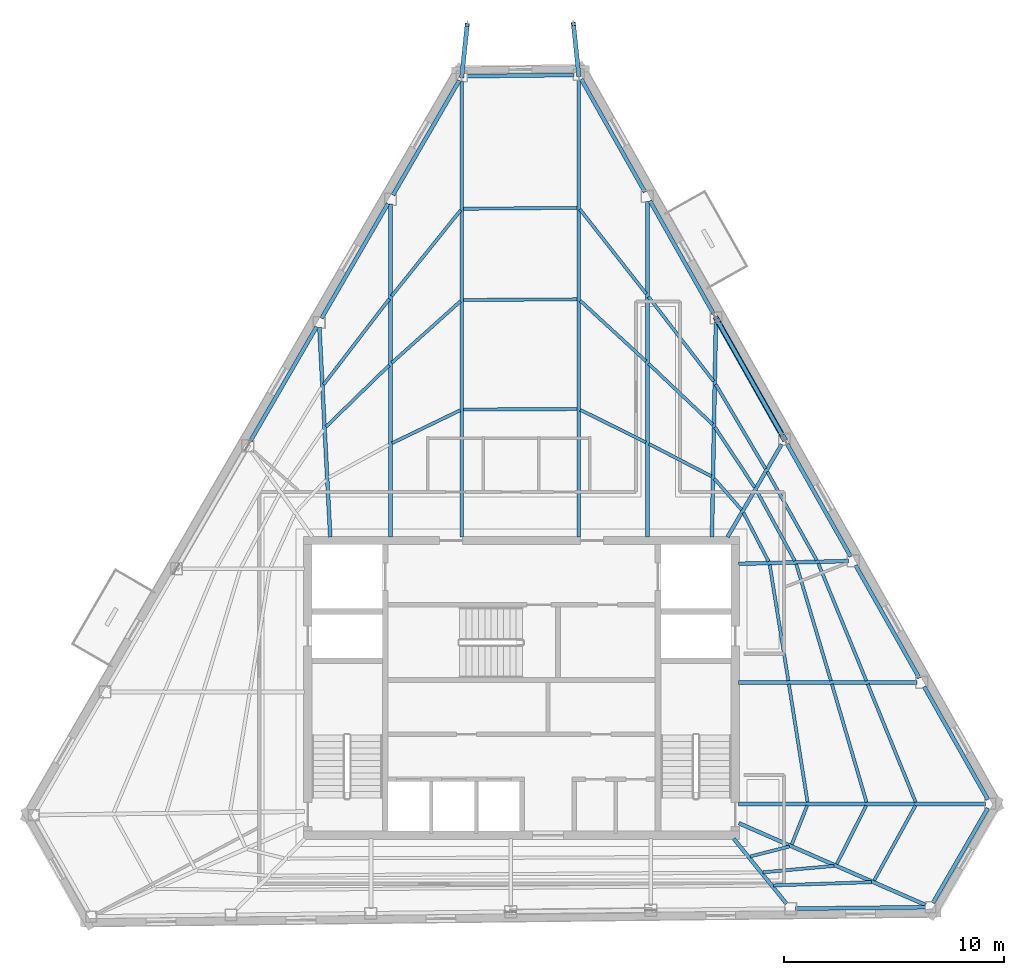
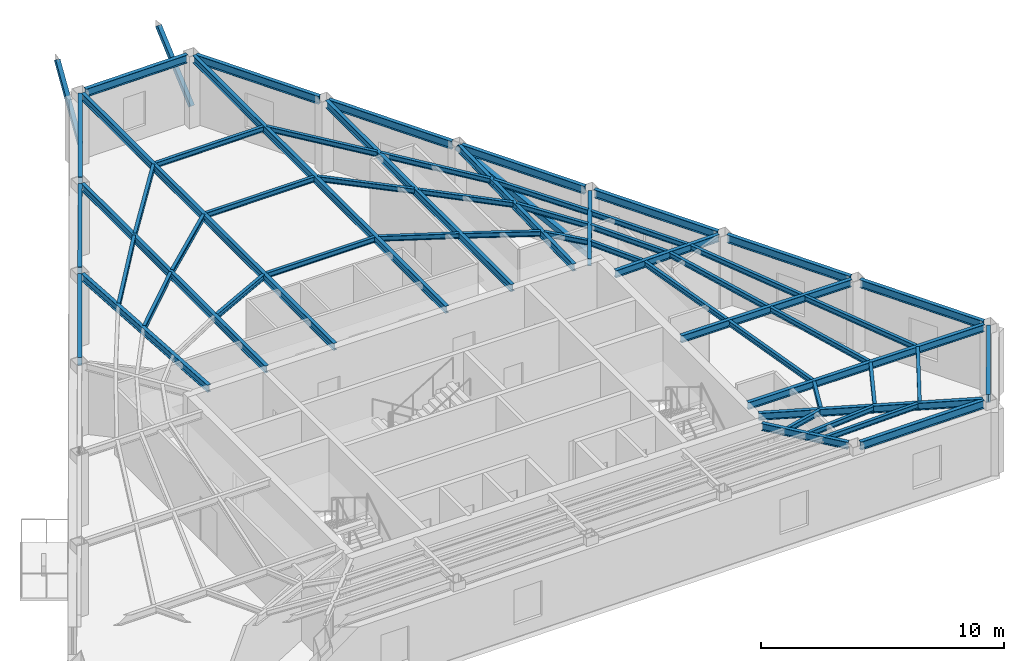
# One storey, part 2 of 10: 56 beams, 3 members.
"""IFC4 building model written with IfcOpenShell, lengths in metres."""

from ifc_helpers import new_model, si_unit, direction, frame, origin, origin_2d, place, context, subcontext, project, spatial, hollow_rectangle, i_section, extrude, material, material_profile, profile_set, type_object, element, save


model = new_model("IFC4")

# Units and contexts
model_context = context("Model", 3, precision=1e-05, world=origin(), true_north=direction((0.0, 1.0)))
body_context = subcontext(model_context, "Body", "Model", "MODEL_VIEW")
ifc_project = project(units=[si_unit("LENGTHUNIT", "METRE"), si_unit("AREAUNIT", "SQUARE_METRE"), si_unit("VOLUMEUNIT", "CUBIC_METRE"), si_unit("PLANEANGLEUNIT", "RADIAN"), si_unit("MASSUNIT", "GRAM", prefix="KILO")], contexts=[model_context])

# Site, building, storey
site_placement = place(None, origin())
site = spatial("IfcSite", under=ifc_project, at=site_placement, CompositionType="ELEMENT")
building_placement = place(site_placement, origin())
building = spatial("IfcBuilding", under=site, at=building_placement, Name="Kavelnor Concourse Tower", CompositionType="ELEMENT")
storey_placement = place(building_placement, frame((0.0, 0.0, 293.39990234375)))
storey = spatial("IfcBuildingStorey", under=building, at=storey_placement, Name="L74", CompositionType="ELEMENT", Elevation=293.39990234375)

# Beams
ifc_material = material(Name="Steel Grade 350", Category="steel")
ifc_material_profile_1 = material_profile(ifc_material, i_section(OverallWidth=0.14599609375, OverallDepth=0.256103515625, WebThickness=0.00634765625, FlangeThickness=0.010986328125, at=origin_2d()), Name="250UB37")
ifc_profile_set_1 = profile_set([ifc_material_profile_1], Name="Steel Grade 350")
beam_type_1 = type_object("IfcBeamType", Name="BM-JOIST-250", PredefinedType="JOIST", material=ifc_profile_set_1)
beam_1_placement = place(storey_placement, frame((48.3837890625, 8.4453125, 3.482177734375), z_axis=(0.96928932723, 0.245923158972, 0.0), x_axis=(-0.245923158972, 0.96928932723, 0.0)))
element("IfcBeam", 1, at=beam_1_placement, inside=storey, type_object=beam_type_1, Name="L74 Secondary Composite Joist 08-1", PredefinedType="JOIST", context=body_context, shape_type="SweptSolid", body=[
    extrude(i_section(OverallWidth=0.14599609375, OverallDepth=0.256103515625, WebThickness=0.00634765625, FlangeThickness=0.010986328125, at=origin_2d()), origin(), (0.0, 0.0, 1.0), 1.83056640625),
])
beam_2_placement = place(storey_placement, frame((48.960693359375, 7.724609375, 3.482177734375), z_axis=(0.995933210057, 0.090094623068, 0.0), x_axis=(-0.090094623068, 0.995933210057, 0.0)))
element("IfcBeam", 2, at=beam_2_placement, inside=storey, type_object=beam_type_1, Name="L74 Secondary Composite Joist 08-2", PredefinedType="JOIST", context=body_context, shape_type="SweptSolid", body=[
    extrude(i_section(OverallWidth=0.14599609375, OverallDepth=0.256103515625, WebThickness=0.00634765625, FlangeThickness=0.010986328125, at=origin_2d()), origin(), (0.0, 0.0, 1.0), 3.24365234375),
])
beam_3_placement = place(storey_placement, frame((49.43994140625, 7.130126953125, 3.482177734375), z_axis=(0.999441491264, 0.033417144404, 0.0), x_axis=(-0.033417144404, 0.999441491264, 0.0)))
element("IfcBeam", 3, at=beam_3_placement, inside=storey, type_object=beam_type_1, Name="L74 Secondary Composite Joist 08-3", PredefinedType="JOIST", context=body_context, shape_type="SweptSolid", body=[
    extrude(i_section(OverallWidth=0.14599609375, OverallDepth=0.256103515625, WebThickness=0.00634765625, FlangeThickness=0.010986328125, at=origin_2d()), origin(), (0.0, 0.0, 1.0), 4.44921875),
])
beam_4_placement = place(storey_placement, frame((50.267822265625, 8.99169921875, 3.482177734375), z_axis=(0.368347571407, 0.929688155587, 0.0), x_axis=(-0.929688155587, 0.368347571407, 0.0)))
element("IfcBeam", 4, at=beam_4_placement, inside=storey, type_object=beam_type_1, Name="L74 Secondary Composite Joist 09-1", PredefinedType="JOIST", context=body_context, shape_type="SweptSolid", body=[
    extrude(i_section(OverallWidth=0.14599609375, OverallDepth=0.256103515625, WebThickness=0.00634765625, FlangeThickness=0.010986328125, at=origin_2d()), origin(), (0.0, 0.0, 1.0), 1.896240234375),
])
beam_5_placement = place(storey_placement, frame((52.309814453125, 8.097412109375, 3.482177734375), z_axis=(0.449409285508, 0.893325973035, 0.0), x_axis=(-0.893325973035, 0.449409285508, 0.0)))
element("IfcBeam", 5, at=beam_5_placement, inside=storey, type_object=beam_type_1, Name="L74 Secondary Composite Joist 09-2", PredefinedType="JOIST", context=body_context, shape_type="SweptSolid", body=[
    extrude(i_section(OverallWidth=0.14599609375, OverallDepth=0.256103515625, WebThickness=0.00634765625, FlangeThickness=0.010986328125, at=origin_2d()), origin(), (0.0, 0.0, 1.0), 2.97802734375),
])
beam_6_placement = place(storey_placement, frame((54.00830078125, 7.353271484375, 3.482177734375), z_axis=(0.482810136194, 0.875725055247, 0.0), x_axis=(-0.875725055247, 0.482810136194, 0.0)))
element("IfcBeam", 6, at=beam_6_placement, inside=storey, type_object=beam_type_1, Name="L74 Secondary Composite Joist 09-3", PredefinedType="JOIST", context=body_context, shape_type="SweptSolid", body=[
    extrude(i_section(OverallWidth=0.14599609375, OverallDepth=0.256103515625, WebThickness=0.00634765625, FlangeThickness=0.010986328125, at=origin_2d()), origin(), (0.0, 0.0, 1.0), 3.88916015625),
])
beam_7_placement = place(storey_placement, frame((50.98388671875, 10.911865234375, 3.482177734375), z_axis=(-0.156147592713, 0.987733734004, 0.0), x_axis=(-0.987733734004, -0.156147592713, 0.0)))
element("IfcBeam", 7, at=beam_7_placement, inside=storey, type_object=beam_type_1, Name="L74 Secondary Composite Joist 10-1", PredefinedType="JOIST", context=body_context, shape_type="SweptSolid", body=[
    extrude(i_section(OverallWidth=0.14599609375, OverallDepth=0.256103515625, WebThickness=0.00634765625, FlangeThickness=0.010986328125, at=origin_2d()), origin(), (0.0, 0.0, 1.0), 5.420654296875),
])
beam_8_placement = place(storey_placement, frame((53.662109375, 10.90966796875, 3.482177734375), z_axis=(-0.281659795951, 0.959514335143, 0.0), x_axis=(-0.959514335143, -0.281659795951, 0.0)))
element("IfcBeam", 8, at=beam_8_placement, inside=storey, type_object=beam_type_1, Name="L74 Secondary Composite Joist 10-2", PredefinedType="JOIST", context=body_context, shape_type="SweptSolid", body=[
    extrude(i_section(OverallWidth=0.14599609375, OverallDepth=0.256103515625, WebThickness=0.00634765625, FlangeThickness=0.010986328125, at=origin_2d()), origin(), (0.0, 0.0, 1.0), 5.584716796875),
])
beam_9_placement = place(storey_placement, frame((55.894775390625, 10.906982421875, 3.482177734375), z_axis=(-0.376531987746, 0.926403617331, 0.0), x_axis=(-0.926403617331, -0.376531987746, 0.0)))
element("IfcBeam", 9, at=beam_9_placement, inside=storey, type_object=beam_type_1, Name="L74 Secondary Composite Joist 10-3", PredefinedType="JOIST", context=body_context, shape_type="SweptSolid", body=[
    extrude(i_section(OverallWidth=0.14599609375, OverallDepth=0.256103515625, WebThickness=0.00634765625, FlangeThickness=0.010986328125, at=origin_2d()), origin(), (0.0, 0.0, 1.0), 5.7900390625),
])
beam_10_placement = place(storey_placement, frame((50.11181640625, 16.427978515625, 3.482177734375), z_axis=(-0.15885046864, 0.987302652996, 0.0), x_axis=(-0.987302652996, -0.15885046864, 0.0)))
element("IfcBeam", 10, at=beam_10_placement, inside=storey, type_object=beam_type_1, Name="L74 Secondary Composite Joist 11-1", PredefinedType="JOIST", context=body_context, shape_type="SweptSolid", body=[
    extrude(i_section(OverallWidth=0.14599609375, OverallDepth=0.256103515625, WebThickness=0.00634765625, FlangeThickness=0.010986328125, at=origin_2d()), origin(), (0.0, 0.0, 1.0), 5.325439453125),
])
beam_11_placement = place(storey_placement, frame((52.04248046875, 16.425537109375, 3.482177734375), z_axis=(-0.284791294668, 0.958589546407, 0.0), x_axis=(-0.958589546407, -0.284791294668, 0.0)))
element("IfcBeam", 11, at=beam_11_placement, inside=storey, type_object=beam_type_1, Name="L74 Secondary Composite Joist 11-2", PredefinedType="JOIST", context=body_context, shape_type="SweptSolid", body=[
    extrude(i_section(OverallWidth=0.14599609375, OverallDepth=0.256103515625, WebThickness=0.00634765625, FlangeThickness=0.010986328125, at=origin_2d()), origin(), (0.0, 0.0, 1.0), 5.521728515625),
])
beam_12_placement = place(storey_placement, frame((53.652587890625, 16.4228515625, 3.482177734375), z_axis=(-0.378988110961, 0.925401540819, 0.0), x_axis=(-0.925401540819, -0.378988110961, 0.0)))
element("IfcBeam", 12, at=beam_12_placement, inside=storey, type_object=beam_type_1, Name="L74 Secondary Composite Joist 11-3", PredefinedType="JOIST", context=body_context, shape_type="SweptSolid", body=[
    extrude(i_section(OverallWidth=0.14599609375, OverallDepth=0.256103515625, WebThickness=0.00634765625, FlangeThickness=0.010986328125, at=origin_2d()), origin(), (0.0, 0.0, 1.0), 5.752685546875),
])
beam_13_placement = place(storey_placement, frame((49.215087890625, 21.839599609375, 3.482177734375), z_axis=(-0.458365440154, 0.888763817486, 0.0), x_axis=(-0.888763817486, -0.458365440154, 0.0)))
element("IfcBeam", 13, at=beam_13_placement, inside=storey, type_object=beam_type_1, Name="L74 Secondary Composite Joist 12-1", PredefinedType="JOIST", context=body_context, shape_type="SweptSolid", body=[
    extrude(i_section(OverallWidth=0.14599609375, OverallDepth=0.256103515625, WebThickness=0.00634765625, FlangeThickness=0.010986328125, at=origin_2d()), origin(), (0.0, 0.0, 1.0), 2.488037109375),
])
beam_14_placement = place(storey_placement, frame((50.4072265625, 21.868896484375, 3.482177734375), z_axis=(-0.478621623791, 0.878021264685, 0.0), x_axis=(-0.878021264685, -0.478621623791, 0.0)))
element("IfcBeam", 14, at=beam_14_placement, inside=storey, type_object=beam_type_1, Name="L74 Secondary Composite Joist 12-2", PredefinedType="JOIST", context=body_context, shape_type="SweptSolid", body=[
    extrude(i_section(OverallWidth=0.14599609375, OverallDepth=0.256103515625, WebThickness=0.00634765625, FlangeThickness=0.010986328125, at=origin_2d()), origin(), (0.0, 0.0, 1.0), 3.636474609375),
])
beam_15_placement = place(storey_placement, frame((51.4013671875, 21.893798828125, 3.482177734375), z_axis=(-0.48799643035, 0.872845624361, 0.0), x_axis=(-0.872845624361, -0.48799643035, 0.0)))
element("IfcBeam", 15, at=beam_15_placement, inside=storey, type_object=beam_type_1, Name="L74 Secondary Composite Joist 12-3", PredefinedType="JOIST", context=body_context, shape_type="SweptSolid", body=[
    extrude(i_section(OverallWidth=0.14599609375, OverallDepth=0.256103515625, WebThickness=0.00634765625, FlangeThickness=0.010986328125, at=origin_2d()), origin(), (0.0, 0.0, 1.0), 4.59423828125),
])
beam_16_placement = place(storey_placement, frame((47.983154296875, 24.185546875, 3.482177734375), z_axis=(-0.657052024848, 0.75384523388, 0.0), x_axis=(-0.75384523388, -0.657052024848, 0.0)))
element("IfcBeam", 16, at=beam_16_placement, inside=storey, type_object=beam_type_1, Name="L74 Secondary Composite Joist 13-1", PredefinedType="JOIST", context=body_context, shape_type="SweptSolid", body=[
    extrude(i_section(OverallWidth=0.14599609375, OverallDepth=0.256103515625, WebThickness=0.00634765625, FlangeThickness=0.010986328125, at=origin_2d()), origin(), (0.0, 0.0, 1.0), 1.881591796875),
])
beam_17_placement = place(storey_placement, frame((48.582275390625, 25.2021484375, 3.482177734375), z_axis=(-0.550491860973, 0.834840530283, 0.0), x_axis=(-0.834840530283, -0.550491860973, 0.0)))
element("IfcBeam", 17, at=beam_17_placement, inside=storey, type_object=beam_type_1, Name="L74 Secondary Composite Joist 13-2", PredefinedType="JOIST", context=body_context, shape_type="SweptSolid", body=[
    extrude(i_section(OverallWidth=0.14599609375, OverallDepth=0.256103515625, WebThickness=0.00634765625, FlangeThickness=0.010986328125, at=origin_2d()), origin(), (0.0, 0.0, 1.0), 3.272216796875),
])
beam_18_placement = place(storey_placement, frame((49.077880859375, 26.0458984375, 3.482177734375), z_axis=(-0.508636930152, 0.860981110876, 0.0), x_axis=(-0.860981110876, -0.508636930152, 0.0)))
element("IfcBeam", 18, at=beam_18_placement, inside=storey, type_object=beam_type_1, Name="L74 Secondary Composite Joist 13-3", PredefinedType="JOIST", context=body_context, shape_type="SweptSolid", body=[
    extrude(i_section(OverallWidth=0.14599609375, OverallDepth=0.256103515625, WebThickness=0.00634765625, FlangeThickness=0.010986328125, at=origin_2d()), origin(), (0.0, 0.0, 1.0), 4.451904296875),
])
beam_19_placement = place(storey_placement, frame((46.6201171875, 25.70361328125, 3.482177734375), z_axis=(-0.887896823284, 0.460042640635, 0.0), x_axis=(-0.460042640635, -0.887896823284, 0.0)))
element("IfcBeam", 19, at=beam_19_placement, inside=storey, type_object=beam_type_1, Name="L74 Secondary Composite Joist 14-1", PredefinedType="JOIST", context=body_context, shape_type="SweptSolid", body=[
    extrude(i_section(OverallWidth=0.14599609375, OverallDepth=0.256103515625, WebThickness=0.00634765625, FlangeThickness=0.010986328125, at=origin_2d()), origin(), (0.0, 0.0, 1.0), 3.193115234375),
])
beam_20_placement = place(storey_placement, frame((46.676513671875, 28.058837890625, 3.482177734375), z_axis=(-0.725548784534, 0.688170735545, 0.0), x_axis=(-0.688170735545, -0.725548784534, 0.0)))
element("IfcBeam", 20, at=beam_20_placement, inside=storey, type_object=beam_type_1, Name="L74 Secondary Composite Joist 14-2", PredefinedType="JOIST", context=body_context, shape_type="SweptSolid", body=[
    extrude(i_section(OverallWidth=0.14599609375, OverallDepth=0.256103515625, WebThickness=0.00634765625, FlangeThickness=0.010986328125, at=origin_2d()), origin(), (0.0, 0.0, 1.0), 4.00390625),
])
beam_21_placement = place(storey_placement, frame((46.7216796875, 30.014404296875, 3.482177734375), z_axis=(-0.610292052427, 0.792176502267, 0.0), x_axis=(-0.792176502267, -0.610292052427, 0.0)))
element("IfcBeam", 21, at=beam_21_placement, inside=storey, type_object=beam_type_1, Name="L74 Secondary Composite Joist 14-3", PredefinedType="JOIST", context=body_context, shape_type="SweptSolid", body=[
    extrude(i_section(OverallWidth=0.14599609375, OverallDepth=0.256103515625, WebThickness=0.00634765625, FlangeThickness=0.010986328125, at=origin_2d()), origin(), (0.0, 0.0, 1.0), 4.849609375),
])
beam_22_placement = place(storey_placement, frame((43.638427734375, 27.246826171875, 3.482177734375), z_axis=(-0.895852679934, 0.444351185275, 0.0), x_axis=(-0.444351185275, -0.895852679934, 0.0)))
element("IfcBeam", 22, at=beam_22_placement, inside=storey, type_object=beam_type_1, Name="L74 Secondary Composite Joist 15-1", PredefinedType="JOIST", context=body_context, shape_type="SweptSolid", body=[
    extrude(i_section(OverallWidth=0.14599609375, OverallDepth=0.256103515625, WebThickness=0.00634765625, FlangeThickness=0.010986328125, at=origin_2d()), origin(), (0.0, 0.0, 1.0), 3.31201171875),
])
beam_23_placement = place(storey_placement, frame((43.651611328125, 30.92626953125, 3.482177734375), z_axis=(-0.735515998152, 0.677507355283, 0.0), x_axis=(-0.677507355283, -0.735515998152, 0.0)))
element("IfcBeam", 23, at=beam_23_placement, inside=storey, type_object=beam_type_1, Name="L74 Secondary Composite Joist 15-2", PredefinedType="JOIST", context=body_context, shape_type="SweptSolid", body=[
    extrude(i_section(OverallWidth=0.14599609375, OverallDepth=0.256103515625, WebThickness=0.00634765625, FlangeThickness=0.010986328125, at=origin_2d()), origin(), (0.0, 0.0, 1.0), 4.06982421875),
])
beam_24_placement = place(storey_placement, frame((43.661376953125, 33.985595703125, 3.482177734375), z_axis=(-0.617006385278, 0.786958144075, 0.0), x_axis=(-0.786958144075, -0.617006385278, 0.0)))
element("IfcBeam", 24, at=beam_24_placement, inside=storey, type_object=beam_type_1, Name="L74 Secondary Composite Joist 15-3", PredefinedType="JOIST", context=body_context, shape_type="SweptSolid", body=[
    extrude(i_section(OverallWidth=0.14599609375, OverallDepth=0.256103515625, WebThickness=0.00634765625, FlangeThickness=0.010986328125, at=origin_2d()), origin(), (0.0, 0.0, 1.0), 4.8828125),
])
for number, where, z_axis, x_axis, name in (
    (25, (40.51611328125, 28.754638671875, 3.482177734375), (-0.999995097745, -0.003131211522, 0.0), (0.003131211522, -0.999995097745, 0.0), "L74 Secondary Composite Joist 16-1"),
    (26, (40.51611328125, 33.738525390625, 3.482177734375), (-0.99998297409, -0.005835368907, 0.0), (0.005835368907, -0.99998297409, 0.0), "L74 Secondary Composite Joist 16-2"),
):
    element("IfcBeam", number, at=place(storey_placement, frame(where, z_axis=z_axis, x_axis=x_axis)), inside=storey, type_object=beam_type_1, Name=name, PredefinedType="JOIST", context=body_context, shape_type="SweptSolid", body=[
        extrude(i_section(OverallWidth=0.14599609375, OverallDepth=0.256103515625, WebThickness=0.00634765625, FlangeThickness=0.010986328125, at=origin_2d()), origin(), (0.0, 0.0, 1.0), 5.14599609375),
    ])
beam_25_placement = place(storey_placement, frame((40.51611328125, 37.891845703125, 3.482177734375), z_axis=(-0.999967477205, -0.00806501903, 0.0), x_axis=(0.00806501903, -0.999967477205, 0.0)))
element("IfcBeam", 27, at=beam_25_placement, inside=storey, type_object=beam_type_1, Name="L74 Secondary Composite Joist 16-3", PredefinedType="JOIST", context=body_context, shape_type="SweptSolid", body=[
    extrude(i_section(OverallWidth=0.14599609375, OverallDepth=0.256103515625, WebThickness=0.00634765625, FlangeThickness=0.010986328125, at=origin_2d()), origin(), (0.0, 0.0, 1.0), 5.146240234375),
])
beam_26_placement = place(storey_placement, frame((35.214111328125, 28.70263671875, 3.482177734375), z_axis=(-0.900361488535, -0.43514272367, 0.0), x_axis=(0.43514272367, -0.900361488535, 0.0)))
element("IfcBeam", 28, at=beam_26_placement, inside=storey, type_object=beam_type_1, Name="L74 Secondary Composite Joist 17-1", PredefinedType="JOIST", context=body_context, shape_type="SweptSolid", body=[
    extrude(i_section(OverallWidth=0.14599609375, OverallDepth=0.256103515625, WebThickness=0.00634765625, FlangeThickness=0.010986328125, at=origin_2d()), origin(), (0.0, 0.0, 1.0), 3.43359375),
])
beam_27_placement = place(storey_placement, frame((35.22705078125, 33.6533203125, 3.482177734375), z_axis=(-0.744281657695, -0.667865865289, 0.0), x_axis=(0.667865865289, -0.744281657695, 0.0)))
element("IfcBeam", 29, at=beam_27_placement, inside=storey, type_object=beam_type_1, Name="L74 Secondary Composite Joist 17-2", PredefinedType="JOIST", context=body_context, shape_type="SweptSolid", body=[
    extrude(i_section(OverallWidth=0.14599609375, OverallDepth=0.256103515625, WebThickness=0.00634765625, FlangeThickness=0.010986328125, at=origin_2d()), origin(), (0.0, 0.0, 1.0), 4.1884765625),
])
beam_28_placement = place(storey_placement, frame((35.236572265625, 37.785888671875, 3.482177734375), z_axis=(-0.626948005464, -0.779061100585, 0.0), x_axis=(0.779061100585, -0.626948005464, 0.0)))
element("IfcBeam", 30, at=beam_28_placement, inside=storey, type_object=beam_type_1, Name="L74 Secondary Composite Joist 17-3", PredefinedType="JOIST", context=body_context, shape_type="SweptSolid", body=[
    extrude(i_section(OverallWidth=0.14599609375, OverallDepth=0.256103515625, WebThickness=0.00634765625, FlangeThickness=0.010986328125, at=origin_2d()), origin(), (0.0, 0.0, 1.0), 5.002685546875),
])
beam_29_placement = place(storey_placement, frame((31.989990234375, 30.743896484375, 3.482177734375), z_axis=(-0.717029603621, -0.697042715715, 0.0), x_axis=(0.697042715715, -0.717029603621, 0.0)))
element("IfcBeam", 31, at=beam_29_placement, inside=storey, type_object=beam_type_1, Name="L74 Secondary Composite Joist 18-2", PredefinedType="JOIST", context=body_context, shape_type="SweptSolid", body=[
    extrude(i_section(OverallWidth=0.14599609375, OverallDepth=0.256103515625, WebThickness=0.00634765625, FlangeThickness=0.010986328125, at=origin_2d()), origin(), (0.0, 0.0, 1.0), 4.006591796875),
])
beam_30_placement = place(storey_placement, frame((31.998779296875, 33.759521484375, 3.482177734375), z_axis=(-0.608857354389, -0.793279724943, 0.0), x_axis=(0.793279724943, -0.608857354389, 0.0)))
element("IfcBeam", 32, at=beam_30_placement, inside=storey, type_object=beam_type_1, Name="L74 Secondary Composite Joist 18-3", PredefinedType="JOIST", context=body_context, shape_type="SweptSolid", body=[
    extrude(i_section(OverallWidth=0.14599609375, OverallDepth=0.256103515625, WebThickness=0.00634765625, FlangeThickness=0.010986328125, at=origin_2d()), origin(), (0.0, 0.0, 1.0), 4.909912109375),
])
ifc_material_profile_2 = material_profile(ifc_material, i_section(OverallWidth=0.172119140625, OverallDepth=0.35888671875, WebThickness=0.008056640625, FlangeThickness=0.012939453125, at=origin_2d()), Name="360UB56")
ifc_profile_set_2 = profile_set([ifc_material_profile_2], Name="Steel Grade 350")
beam_type_2 = type_object("IfcBeamType", Name="BM-PRIMARY-360", PredefinedType="BEAM", material=ifc_profile_set_2)
beam_31_placement = place(storey_placement, frame((35.2880859375, 22.93994140625, 3.4306640625), z_axis=(0.0, 1.0, 0.0), x_axis=(-1.0, 0.0, 0.0)))
element("IfcBeam", 33, at=beam_31_placement, inside=storey, type_object=beam_type_2, Name="L74 Primary Floor Girder F0-B0", PredefinedType="BEAM", context=body_context, shape_type="SweptSolid", body=[
    extrude(i_section(OverallWidth=0.172119140625, OverallDepth=0.35888671875, WebThickness=0.008056640625, FlangeThickness=0.012939453125, at=origin_2d()), origin(), (0.0, 0.0, 1.0), 20.7080078125),
])
beam_32_placement = place(storey_placement, frame((32.048583984375, 22.93994140625, 3.4306640625), z_axis=(0.0, 1.0, 0.0), x_axis=(-1.0, 0.0, 0.0)))
element("IfcBeam", 34, at=beam_32_placement, inside=storey, type_object=beam_type_2, Name="L74 Primary Floor Girder F0-B1", PredefinedType="BEAM", context=body_context, shape_type="SweptSolid", body=[
    extrude(i_section(OverallWidth=0.172119140625, OverallDepth=0.35888671875, WebThickness=0.008056640625, FlangeThickness=0.012939453125, at=origin_2d()), origin(), (0.0, 0.0, 1.0), 15.11767578125),
])
beam_33_placement = place(storey_placement, frame((29.315673828125, 22.940185546875, 3.4306640625), z_axis=(-0.051876442594, 0.998653510835, 0.0), x_axis=(-0.998653510835, -0.051876442594, 0.0)))
element("IfcBeam", 35, at=beam_33_placement, inside=storey, type_object=beam_type_2, Name="L74 Primary Floor Girder F0-B2", PredefinedType="BEAM", context=body_context, shape_type="SweptSolid", body=[
    extrude(i_section(OverallWidth=0.172119140625, OverallDepth=0.35888671875, WebThickness=0.008056640625, FlangeThickness=0.012939453125, at=origin_2d()), origin(), (0.0, 0.0, 1.0), 9.53955078125),
])
beam_34_placement = place(storey_placement, frame((47.6337890625, 9.251220703125, 3.4306640625), z_axis=(0.630297450629, -0.776353736212, 0.0), x_axis=(0.776353736212, 0.630297450629, 0.0)))
element("IfcBeam", 36, at=beam_34_placement, inside=storey, type_object=beam_type_2, Name="L74 Primary Floor Girder F1-B5", PredefinedType="BEAM", context=body_context, shape_type="SweptSolid", body=[
    extrude(i_section(OverallWidth=0.172119140625, OverallDepth=0.35888671875, WebThickness=0.008056640625, FlangeThickness=0.012939453125, at=origin_2d()), origin(), (0.0, 0.0, 1.0), 3.79931640625),
])
beam_35_placement = place(storey_placement, frame((47.86328125, 9.95556640625, 3.4306640625), z_axis=(0.915999287586, -0.401179891249, 0.0), x_axis=(0.401179891249, 0.915999287586, 0.0)))
element("IfcBeam", 37, at=beam_35_placement, inside=storey, type_object=beam_type_2, Name="L74 Primary Floor Girder F1-B6", PredefinedType="BEAM", context=body_context, shape_type="SweptSolid", body=[
    extrude(i_section(OverallWidth=0.172119140625, OverallDepth=0.35888671875, WebThickness=0.008056640625, FlangeThickness=0.012939453125, at=origin_2d()), origin(), (0.0, 0.0, 1.0), 9.25732421875),
])
beam_36_placement = place(storey_placement, frame((47.860107421875, 10.830810546875, 3.4306640625), z_axis=(1.0, 0.0, 0.0), x_axis=(0.0, 1.0, 0.0)))
element("IfcBeam", 38, at=beam_36_placement, inside=storey, type_object=beam_type_2, Name="L74 Primary Floor Girder F2-B0", PredefinedType="BEAM", context=body_context, shape_type="SweptSolid", body=[
    extrude(i_section(OverallWidth=0.172119140625, OverallDepth=0.35888671875, WebThickness=0.008056640625, FlangeThickness=0.012939453125, at=origin_2d()), origin(), (0.0, 0.0, 1.0), 11.2021484375),
])
beam_37_placement = place(storey_placement, frame((47.860107421875, 16.346923828125, 3.4306640625), z_axis=(1.0, 0.0, 0.0), x_axis=(0.0, 1.0, 0.0)))
element("IfcBeam", 39, at=beam_37_placement, inside=storey, type_object=beam_type_2, Name="L74 Primary Floor Girder F2-B1", PredefinedType="BEAM", context=body_context, shape_type="SweptSolid", body=[
    extrude(i_section(OverallWidth=0.172119140625, OverallDepth=0.35888671875, WebThickness=0.008056640625, FlangeThickness=0.012939453125, at=origin_2d()), origin(), (0.0, 0.0, 1.0), 8.088134765625),
])
beam_38_placement = place(storey_placement, frame((47.860107421875, 21.7314453125, 3.4306640625), z_axis=(0.999679441026, 0.025318277784, 0.0), x_axis=(-0.025318277784, 0.999679441026, 0.0)))
element("IfcBeam", 40, at=beam_38_placement, inside=storey, type_object=beam_type_2, Name="L74 Primary Floor Girder F2-B2", PredefinedType="BEAM", context=body_context, shape_type="SweptSolid", body=[
    extrude(i_section(OverallWidth=0.172119140625, OverallDepth=0.35888671875, WebThickness=0.008056640625, FlangeThickness=0.012939453125, at=origin_2d()), origin(), (0.0, 0.0, 1.0), 4.975830078125),
])
beam_39_placement = place(storey_placement, frame((47.34814453125, 22.945556640625, 3.4306640625), z_axis=(0.504696013075, 0.863297129838, 0.0), x_axis=(-0.863297129838, 0.504696013075, 0.0)))
element("IfcBeam", 41, at=beam_39_placement, inside=storey, type_object=beam_type_2, Name="L74 Primary Floor Girder F2-B3", PredefinedType="BEAM", context=body_context, shape_type="SweptSolid", body=[
    extrude(i_section(OverallWidth=0.172119140625, OverallDepth=0.35888671875, WebThickness=0.008056640625, FlangeThickness=0.012939453125, at=origin_2d()), origin(), (0.0, 0.0, 1.0), 4.87451171875),
])
beam_40_placement = place(storey_placement, frame((46.642822265625, 22.93994140625, 3.4306640625), z_axis=(0.018403944344, 0.999830633074, 0.0), x_axis=(-0.999830633074, 0.018403944344, 0.0)))
element("IfcBeam", 42, at=beam_40_placement, inside=storey, type_object=beam_type_2, Name="L74 Primary Floor Girder F2-B4", PredefinedType="BEAM", context=body_context, shape_type="SweptSolid", body=[
    extrude(i_section(OverallWidth=0.172119140625, OverallDepth=0.35888671875, WebThickness=0.008056640625, FlangeThickness=0.012939453125, at=origin_2d()), origin(), (0.0, 0.0, 1.0), 9.737060546875),
])
beam_41_placement = place(storey_placement, frame((43.7119140625, 22.93994140625, 3.4306640625), z_axis=(0.0, 1.0, 0.0), x_axis=(-1.0, 0.0, 0.0)))
element("IfcBeam", 43, at=beam_41_placement, inside=storey, type_object=beam_type_2, Name="L74 Primary Floor Girder F2-B5", PredefinedType="BEAM", context=body_context, shape_type="SweptSolid", body=[
    extrude(i_section(OverallWidth=0.172119140625, OverallDepth=0.35888671875, WebThickness=0.008056640625, FlangeThickness=0.012939453125, at=origin_2d()), origin(), (0.0, 0.0, 1.0), 15.25146484375),
])
beam_42_placement = place(storey_placement, frame((40.597900390625, 22.93994140625, 3.4306640625), z_axis=(0.0, 1.0, 0.0), x_axis=(-1.0, 0.0, 0.0)))
element("IfcBeam", 44, at=beam_42_placement, inside=storey, type_object=beam_type_2, Name="L74 Primary Floor Girder F2-B6", PredefinedType="BEAM", context=body_context, shape_type="SweptSolid", body=[
    extrude(i_section(OverallWidth=0.172119140625, OverallDepth=0.35888671875, WebThickness=0.008056640625, FlangeThickness=0.012939453125, at=origin_2d()), origin(), (0.0, 0.0, 1.0), 20.767578125),
])
ifc_material_profile_3 = material_profile(ifc_material, i_section(OverallWidth=0.177978515625, OverallDepth=0.406005859375, WebThickness=0.0078125, FlangeThickness=0.0126953125, at=origin_2d()), Name="410UB59")
ifc_profile_set_3 = profile_set([ifc_material_profile_3], Name="Steel Grade 350")
beam_type_3 = type_object("IfcBeamType", Name="BM-SPANDREL-Z4", PredefinedType="SPANDREL", material=ifc_profile_set_3)
for number, where, z_axis, x_axis, name in (
    (45, (35.17529296875, 43.67333984375, 3.406982421875), (-0.501343627268, -0.865248269225, 0.0), (0.865248269225, -0.501343627268, 0.0), "L74 Perimeter Tube Spandrel Beam F0-B0"),
    (46, (31.935791015625, 38.082763671875, 3.406982421875), (-0.501343627268, -0.865248269225, 0.0), (0.865248269225, -0.501343627268, 0.0), "L74 Perimeter Tube Spandrel Beam F0-B1"),
):
    element("IfcBeam", number, at=place(storey_placement, frame(where, z_axis=z_axis, x_axis=x_axis)), inside=storey, type_object=beam_type_3, Name=name, PredefinedType="SPANDREL", context=body_context, shape_type="SweptSolid", body=[
        extrude(i_section(OverallWidth=0.177978515625, OverallDepth=0.406005859375, WebThickness=0.0078125, FlangeThickness=0.0126953125, at=origin_2d()), origin(), (0.0, 0.0, 1.0), 6.01123046875),
    ])
beam_43_placement = place(storey_placement, frame((28.696533203125, 32.4921875, 3.406982421875), z_axis=(-0.501361245752, -0.865238060454, 0.0), x_axis=(0.865238060454, -0.501361245752, 0.0)))
element("IfcBeam", 47, at=beam_43_placement, inside=storey, type_object=beam_type_3, Name="L74 Perimeter Tube Spandrel Beam F0-B2", PredefinedType="SPANDREL", context=body_context, shape_type="SweptSolid", body=[
    extrude(i_section(OverallWidth=0.177978515625, OverallDepth=0.406005859375, WebThickness=0.0078125, FlangeThickness=0.0126953125, at=origin_2d()), origin(), (0.0, 0.0, 1.0), 6.010986328125),
])
beam_44_placement = place(storey_placement, frame((40.373046875, 43.925048828125, 3.406982421875), z_axis=(-0.999937262497, -0.011201386926, 0.0), x_axis=(0.011201386926, -0.999937262497, 0.0)))
element("IfcBeam", 48, at=beam_44_placement, inside=storey, type_object=beam_type_3, Name="L74 Chamfer Facet Spandrel Beam C0", PredefinedType="SPANDREL", context=body_context, shape_type="SweptSolid", body=[
    extrude(i_section(OverallWidth=0.177978515625, OverallDepth=0.406005859375, WebThickness=0.0078125, FlangeThickness=0.0126953125, at=origin_2d()), origin(), (0.0, 0.0, 1.0), 4.8603515625),
])
beam_45_placement = place(storey_placement, frame((50.439453125, 6.074951171875, 3.406982421875), z_axis=(0.999936710216, 0.011250580566, 0.0), x_axis=(-0.011250580566, 0.999936710216, 0.0)))
element("IfcBeam", 49, at=beam_45_placement, inside=storey, type_object=beam_type_3, Name="L74 Perimeter Tube Spandrel Beam F1-B5", PredefinedType="SPANDREL", context=body_context, shape_type="SweptSolid", body=[
    extrude(i_section(OverallWidth=0.177978515625, OverallDepth=0.406005859375, WebThickness=0.0078125, FlangeThickness=0.0126953125, at=origin_2d()), origin(), (0.0, 0.0, 1.0), 5.902587890625),
])
for number, where, z_axis, x_axis, name in (
    (50, (59.171630859375, 11.02685546875, 3.406982421875), (-0.491606039657, 0.870817720176, 0.0), (-0.870817720176, -0.491606039657, 0.0), "L74 Perimeter Tube Spandrel Beam F2-B0"),
    (51, (56.0576171875, 16.54296875, 3.406982421875), (-0.491606039657, 0.870817720176, 0.0), (-0.870817720176, -0.491606039657, 0.0), "L74 Perimeter Tube Spandrel Beam F2-B1"),
    (52, (52.943603515625, 22.05908203125, 3.406982421875), (-0.491606039657, 0.870817720176, 0.0), (-0.870817720176, -0.491606039657, 0.0), "L74 Perimeter Tube Spandrel Beam F2-B2"),
    (53, (49.82958984375, 27.5751953125, 3.406982421875), (-0.491606039657, 0.870817720176, 0.0), (-0.870817720176, -0.491606039657, 0.0), "L74 Perimeter Tube Spandrel Beam F2-B3"),
    (54, (46.715576171875, 33.09130859375, 3.406982421875), (-0.491637500963, 0.870799958456, 0.0), (-0.870799958456, -0.491637500963, 0.0), "L74 Perimeter Tube Spandrel Beam F2-B4"),
    (55, (43.601318359375, 38.607421875, 3.406982421875), (-0.491606039657, 0.870817720176, 0.0), (-0.870817720176, -0.491606039657, 0.0), "L74 Perimeter Tube Spandrel Beam F2-B5"),
):
    element("IfcBeam", number, at=place(storey_placement, frame(where, z_axis=z_axis, x_axis=x_axis)), inside=storey, type_object=beam_type_3, Name=name, PredefinedType="SPANDREL", context=body_context, shape_type="SweptSolid", body=[
        extrude(i_section(OverallWidth=0.177978515625, OverallDepth=0.406005859375, WebThickness=0.0078125, FlangeThickness=0.0126953125, at=origin_2d()), origin(), (0.0, 0.0, 1.0), 5.884521484375),
    ])
beam_46_placement = place(storey_placement, frame((56.67919921875, 6.33837890625, 3.406982421875), z_axis=(0.501338487011, 0.865251247582, 0.0), x_axis=(-0.865251247582, 0.501338487011, 0.0)))
element("IfcBeam", 56, at=beam_46_placement, inside=storey, type_object=beam_type_3, Name="L74 Chamfer Facet Spandrel Beam C2", PredefinedType="SPANDREL", context=body_context, shape_type="SweptSolid", body=[
    extrude(i_section(OverallWidth=0.177978515625, OverallDepth=0.406005859375, WebThickness=0.0078125, FlangeThickness=0.0126953125, at=origin_2d()), origin(), (0.0, 0.0, 1.0), 4.96728515625),
])

# Members
ifc_material_profile_4 = material_profile(ifc_material, hollow_rectangle(XDim=0.199951171875, YDim=0.199951171875, WallThickness=0.011962890625, at=origin_2d()), Name="SHS 200x200x12")
ifc_profile_set_4 = profile_set([ifc_material_profile_4], Name="Steel Grade 350")
member_type_1 = type_object("IfcMemberType", Name="MBR-TERR-STRUT-200", PredefinedType="STRUT", material=ifc_profile_set_4)
member_1_placement = place(storey_placement, frame((40.597900390625, 43.927490234375, 0.900146484375), z_axis=(-0.067697539638, 0.643841022705, 0.762158632182), x_axis=(-0.994517539452, -0.104569898738, 0.0)))
element("IfcMember", 57, at=member_1_placement, inside=storey, type_object=member_type_1, Name="L74 Spiral Terrace Raking Knee Strut C0-A", PredefinedType="STRUT", context=body_context, shape_type="SweptSolid", body=[
    extrude(hollow_rectangle(XDim=0.199951171875, YDim=0.199951171875, WallThickness=0.011962890625, at=origin_2d()), origin(), (0.0, 0.0, 1.0), 3.58837890625),
])
member_2_placement = place(storey_placement, frame((35.2880859375, 43.867919921875, 0.900146484375), z_axis=(0.0674812623, 0.646734992256, 0.759723718881), x_axis=(-0.994600480835, 0.103778049332, 0.0)))
element("IfcMember", 58, at=member_2_placement, inside=storey, type_object=member_type_1, Name="L74 Spiral Terrace Raking Knee Strut C0-B", PredefinedType="STRUT", context=body_context, shape_type="SweptSolid", body=[
    extrude(hollow_rectangle(XDim=0.199951171875, YDim=0.199951171875, WallThickness=0.011962890625, at=origin_2d()), origin(), (0.0, 0.0, 1.0), 3.599853515625),
])
ifc_material_profile_5 = material_profile(ifc_material, hollow_rectangle(XDim=0.25, YDim=0.25, WallThickness=0.01611328125, at=origin_2d()), Name="SHS 250x250x16")
ifc_profile_set_5 = profile_set([ifc_material_profile_5], Name="Steel Grade 350")
member_type_2 = type_object("IfcMemberType", Name="MBR-TUBE-DIAG-Z4", PredefinedType="BRACE", material=ifc_profile_set_5)
member_3_placement = place(storey_placement, frame((49.940185546875, 27.379150390625, 0.22021484375), z_axis=(-0.439159779975, 0.777920507155, 0.449420039829), x_axis=(-0.870818986608, -0.491603796326, 0.0)))
element("IfcMember", 59, at=member_3_placement, inside=storey, type_object=member_type_2, Name="L74 Framed-Tube Bracing Diagonal F2-B3", PredefinedType="BRACE", context=body_context, shape_type="SweptSolid", body=[
    extrude(hollow_rectangle(XDim=0.25, YDim=0.25, WallThickness=0.01611328125, at=origin_2d()), origin(), (0.0, 0.0, 1.0), 7.0908203125),
])

save(model, "model.ifc")
